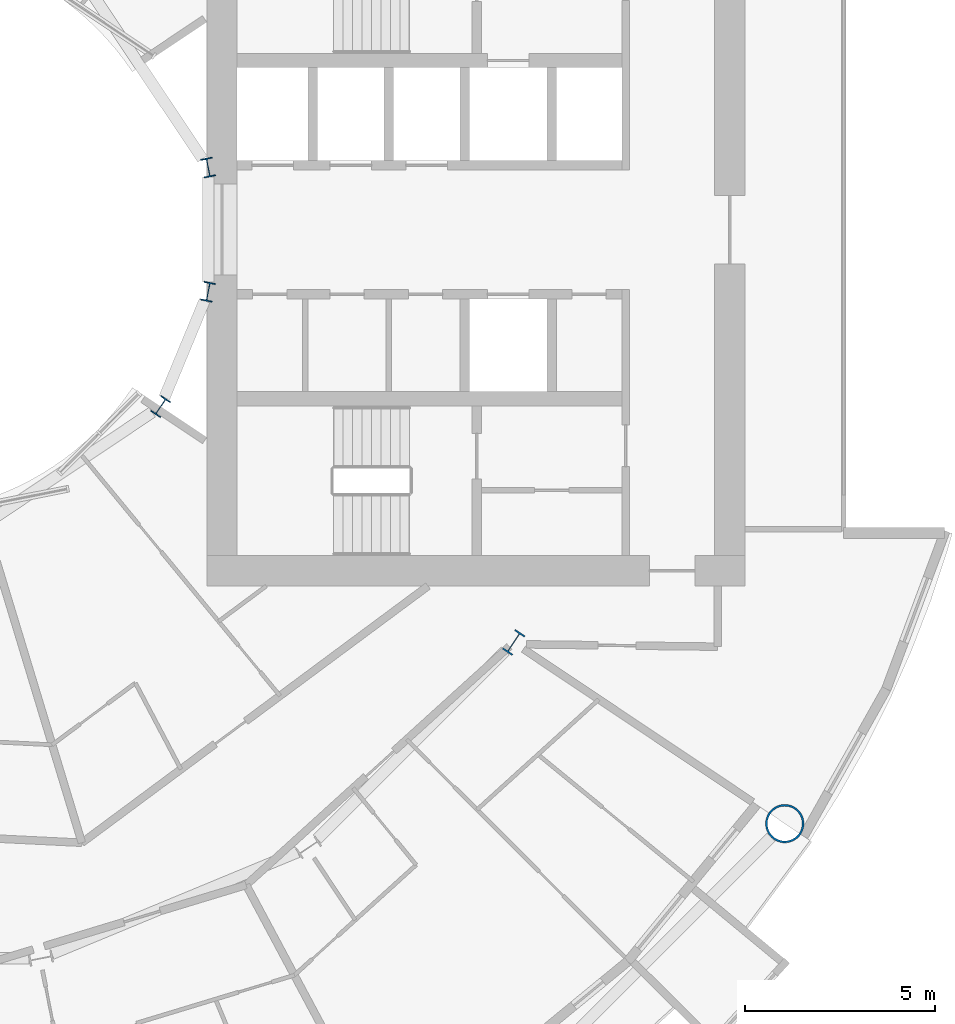
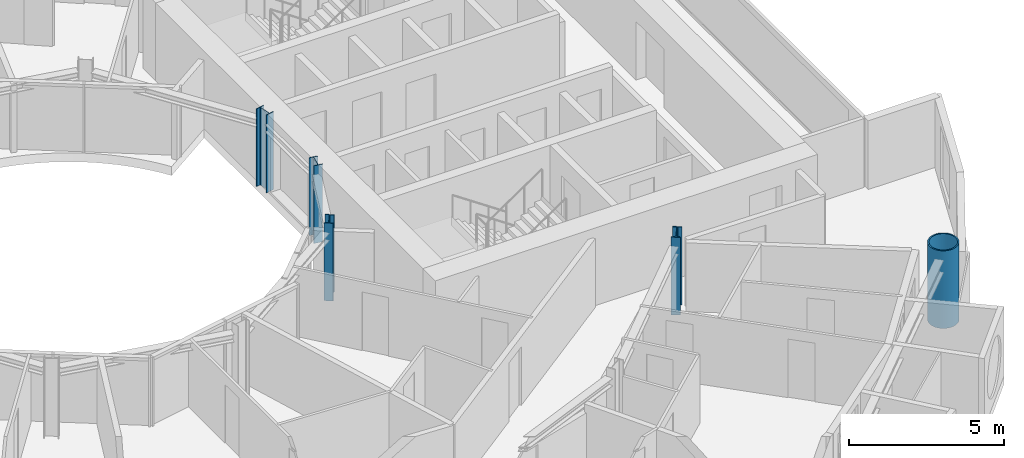
# One storey, part 2 of 25: 5 columns.
"""IFC4 building model written with IfcOpenShell, lengths in metres."""

from ifc_helpers import new_model, si_unit, direction, frame, origin, origin_2d, place, context, subcontext, project, spatial, hollow_circle, i_section, extrude, material, material_profile, profile_set, type_object, element, save


model = new_model("IFC4")

# Units and contexts
model_context = context("Model", 3, precision=1e-05, world=origin(), true_north=direction((0.0, 1.0)))
body_context = subcontext(model_context, "Body", "Model", "MODEL_VIEW")
ifc_project = project(units=[si_unit("LENGTHUNIT", "METRE"), si_unit("AREAUNIT", "SQUARE_METRE"), si_unit("VOLUMEUNIT", "CUBIC_METRE"), si_unit("PLANEANGLEUNIT", "RADIAN"), si_unit("MASSUNIT", "GRAM", prefix="KILO")], contexts=[model_context])

# Site, building, storey
site_placement = place(None, origin())
site = spatial("IfcSite", under=ifc_project, at=site_placement, CompositionType="ELEMENT")
building_placement = place(site_placement, origin())
building = spatial("IfcBuilding", under=site, at=building_placement, Name="Maasbend Ring Residences", CompositionType="ELEMENT")
storey_placement = place(building_placement, frame((0.0, 0.0, 41.10009765625)))
storey = spatial("IfcBuildingStorey", under=building, at=storey_placement, Name="L11", CompositionType="ELEMENT", Elevation=41.10009765625)

# Columns
ifc_material_1 = material(Name="Composite concrete-filled steel tube S460NH / C80/95", Category="concrete")
ifc_material_profile_1 = material_profile(ifc_material_1, hollow_circle(Radius=0.508056640625, WallThickness=0.050048828125, at=origin_2d()), Name="Composite tube column CHS 1016x50")
ifc_profile_set_1 = profile_set([ifc_material_profile_1], Name="Composite concrete-filled steel tube S460NH / C80/95")
column_type_1 = type_object("IfcColumnType", Name="Composite tube column CHS 1016x50", PredefinedType="COLUMN", material=ifc_profile_set_1)
column_1_placement = place(storey_placement, frame((23.447509765625, -15.6669921875, 0.0), z_axis=(0.0, 0.0, 1.0), x_axis=(1.0, 0.0, 0.0)))
element("IfcColumn", 1, at=column_1_placement, inside=storey, type_object=column_type_1, Name="Outer column R15", PredefinedType="COLUMN", context=body_context, shape_type="SweptSolid", body=[
    extrude(hollow_circle(Radius=0.508056640625, WallThickness=0.050048828125, at=origin_2d()), origin(), (0.0, 0.0, 1.0), 3.0498046875),
])
ifc_material_2 = material(Name="Steel S355J2", Category="steel")
ifc_material_profile_2 = material_profile(ifc_material_2, i_section(OverallWidth=0.300048828125, OverallDepth=0.5, WebThickness=0.014404296875, FlangeThickness=0.028076171875, FilletRadius=0.027099609375, at=origin_2d()), Name="HEB 500")
ifc_profile_set_2 = profile_set([ifc_material_profile_2], Name="Steel S355J2")
column_type_2 = type_object("IfcColumnType", Name="Steel column HEB 500", PredefinedType="COLUMN", material=ifc_profile_set_2)
for number, where, z_axis, x_axis, name in (
    (2, (8.238525390625, 1.638916015625, 0.0), (0.0, 0.0, 1.0), (0.980785280403, 0.195090322016, 0.0), "Well ring column R1"),
    (3, (6.984375, -4.666748046875, 0.0), (0.0, 0.0, 1.0), (0.831469612303, -0.55557023302, 0.0), "Well ring column R15"),
    (4, (8.238525390625, -1.638916015625, 0.0), (0.0, 0.0, 1.0), (0.980785280403, -0.195090322016, 0.0), "Well ring column R16"),
):
    element("IfcColumn", number, at=place(storey_placement, frame(where, z_axis=z_axis, x_axis=x_axis)), inside=storey, type_object=column_type_2, Name=name, PredefinedType="COLUMN", context=body_context, shape_type="SweptSolid", body=[
        extrude(i_section(OverallWidth=0.300048828125, OverallDepth=0.5, WebThickness=0.014404296875, FlangeThickness=0.028076171875, FilletRadius=0.027099609375, at=origin_2d()), origin(), (0.0, 0.0, 1.0), 3.0498046875),
    ])
ifc_material_3 = material(Name="Steel S460M", Category="steel")
ifc_material_profile_3 = material_profile(ifc_material_3, i_section(OverallWidth=0.304931640625, OverallDepth=0.6201171875, WebThickness=0.02099609375, FlangeThickness=0.0400390625, FilletRadius=0.027099609375, at=origin_2d()), Name="HEM 600")
ifc_profile_set_3 = profile_set([ifc_material_profile_3], Name="Steel S460M")
column_type_3 = type_object("IfcColumnType", Name="Steel column HEM 600", PredefinedType="COLUMN", material=ifc_profile_set_3)
column_2_placement = place(storey_placement, frame((16.296875, -10.88916015625, 0.0), z_axis=(0.0, 0.0, 1.0), x_axis=(0.831469612303, -0.55557023302, 0.0)))
element("IfcColumn", 5, at=column_2_placement, inside=storey, type_object=column_type_3, Name="Corridor ring column R15", PredefinedType="COLUMN", context=body_context, shape_type="SweptSolid", body=[
    extrude(i_section(OverallWidth=0.304931640625, OverallDepth=0.6201171875, WebThickness=0.02099609375, FlangeThickness=0.0400390625, FilletRadius=0.027099609375, at=origin_2d()), origin(), (0.0, 0.0, 1.0), 3.0498046875),
])

save(model, "model.ifc")
